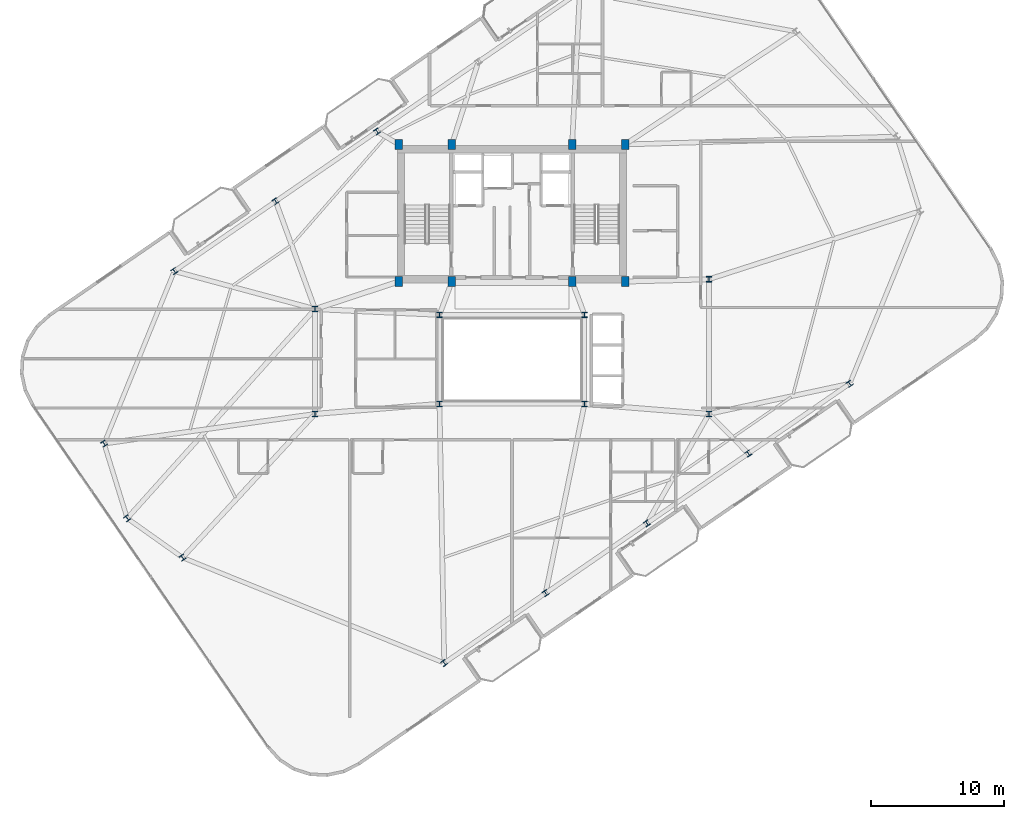
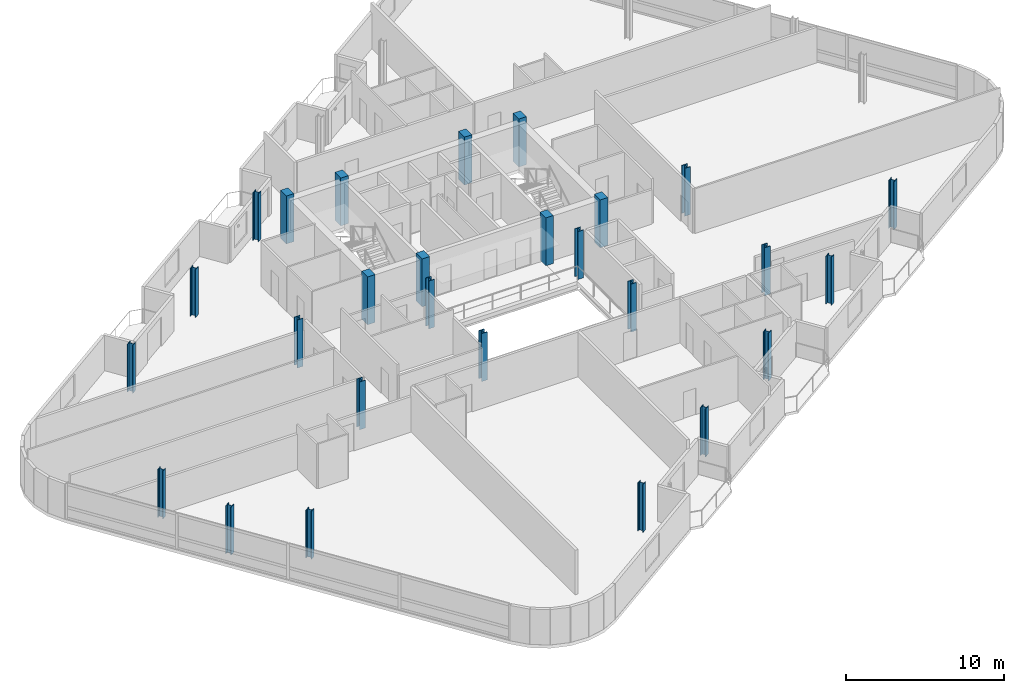
# One storey, part 1 of 21: 27 columns.
"""IFC4 building model written with IfcOpenShell, lengths in metres."""

from ifc_helpers import new_model, si_unit, direction, frame, origin, origin_2d, place, context, subcontext, project, spatial, rectangle, i_section, extrude, material, material_profile, profile_set, type_object, element, save


model = new_model("IFC4")

# Units and contexts
model_context = context("Model", 3, precision=1e-05, world=origin(), true_north=direction((0.0, 1.0)))
body_context = subcontext(model_context, "Body", "Model", "MODEL_VIEW")
ifc_project = project(units=[si_unit("LENGTHUNIT", "METRE"), si_unit("AREAUNIT", "SQUARE_METRE"), si_unit("VOLUMEUNIT", "CUBIC_METRE"), si_unit("PLANEANGLEUNIT", "RADIAN"), si_unit("MASSUNIT", "GRAM", prefix="KILO")], contexts=[model_context])

# Site, building, storey
site_placement = place(None, origin())
site = spatial("IfcSite", under=ifc_project, at=site_placement, CompositionType="ELEMENT")
building_placement = place(site_placement, origin())
building = spatial("IfcBuilding", under=site, at=building_placement, Name="Varnelok Gate Tower", CompositionType="ELEMENT")
storey_placement = place(building_placement, frame((0.0, 0.0, 269.300048828125)))
storey = spatial("IfcBuildingStorey", under=building, at=storey_placement, Name="L69", CompositionType="ELEMENT", Elevation=269.300048828125)

# Columns
ifc_material_1 = material(Name="Concrete C50/60", Category="concrete")
ifc_material_profile_1 = material_profile(ifc_material_1, rectangle(XDim=0.550048828125, YDim=0.75, at=origin_2d()), Name="RC750X550")
ifc_profile_set_1 = profile_set([ifc_material_profile_1], Name="Concrete C50/60")
column_type_1 = type_object("IfcColumnType", Name="COL-RC750X550", PredefinedType="COLUMN", material=ifc_profile_set_1)
for number, where, z_axis, x_axis, name in (
    (1, (30.699951171875, 28.75, 0.0), (0.0, 0.0, 1.0), (1.0, 0.0, 0.0), "L69 Core Spine Column SC1"),
    (2, (34.679931640625, 28.75, 0.0), (0.0, 0.0, 1.0), (1.0, 0.0, 0.0), "L69 Core Spine Column SC2"),
    (3, (43.719970703125, 28.75, 0.0), (0.0, 0.0, 1.0), (1.0, 0.0, 0.0), "L69 Core Spine Column SC3"),
    (4, (47.699951171875, 28.75, 0.0), (0.0, 0.0, 1.0), (1.0, 0.0, 0.0), "L69 Core Spine Column SC4"),
    (5, (30.699951171875, 39.050048828125, 0.0), (0.0, 0.0, 1.0), (1.0, 0.0, 0.0), "L69 Core Spine Column SC5"),
    (6, (34.679931640625, 39.050048828125, 0.0), (0.0, 0.0, 1.0), (1.0, 0.0, 0.0), "L69 Core Spine Column SC6"),
    (7, (43.719970703125, 39.050048828125, 0.0), (0.0, 0.0, 1.0), (1.0, 0.0, 0.0), "L69 Core Spine Column SC7"),
    (8, (47.699951171875, 39.050048828125, 0.0), (0.0, 0.0, 1.0), (1.0, 0.0, 0.0), "L69 Core Spine Column SC8"),
):
    element("IfcColumn", number, at=place(storey_placement, frame(where, z_axis=z_axis, x_axis=x_axis)), inside=storey, type_object=column_type_1, Name=name, PredefinedType="COLUMN", context=body_context, shape_type="SweptSolid", body=[
        extrude(rectangle(XDim=0.550048828125, YDim=0.75, at=origin_2d()), origin(), (0.0, 0.0, 1.0), 3.699951171875),
    ])
ifc_material_2 = material(Name="Structural Steel ASTM A992 Grade 50", Category="steel")
ifc_material_profile_2 = material_profile(ifc_material_2, i_section(OverallWidth=0.40087890625, OverallDepth=0.39892578125, WebThickness=0.02490234375, FlangeThickness=0.03955078125, FilletRadius=0.02197265625, at=origin_2d()), Name="W14X211")
ifc_profile_set_2 = profile_set([ifc_material_profile_2], Name="Structural Steel ASTM A992 Grade 50")
column_type_2 = type_object("IfcColumnType", Name="COL-W14X211", PredefinedType="COLUMN", material=ifc_profile_set_2)
for number, where, z_axis, x_axis, name in (
    (9, (34.107421875, 0.080810546875, 0.0), (0.0, 0.0, 1.0), (0.823532597628, 0.567268949127, 0.0), "L69 B6 Perimeter Column PC01"),
    (10, (41.72509765625, 5.327880859375, 0.0), (0.0, 0.0, 1.0), (0.823532597628, 0.567268949127, 0.0), "L69 B6 Perimeter Column PC02"),
    (11, (49.3427734375, 10.5751953125, 0.0), (0.0, 0.0, 1.0), (0.823532597628, 0.567268949127, 0.0), "L69 B6 Perimeter Column PC03"),
    (12, (56.96044921875, 15.822509765625, 0.0), (0.0, 0.0, 1.0), (0.823532597628, 0.567268949127, 0.0), "L69 B6 Perimeter Column PC04"),
    (13, (64.578125, 21.069580078125, 0.0), (0.0, 0.0, 1.0), (0.823532597628, 0.567268949127, 0.0), "L69 B6 Perimeter Column PC05"),
    (14, (29.05712890625, 40.02490234375, 0.0), (0.0, 0.0, 1.0), (0.823532597628, 0.567268949127, 0.0), "L69 B6 Perimeter Column PC11"),
    (15, (21.439697265625, 34.777587890625, 0.0), (0.0, 0.0, 1.0), (0.823532597628, 0.567268949127, 0.0), "L69 B6 Perimeter Column PC12"),
    (16, (13.822021484375, 29.5302734375, 0.0), (0.0, 0.0, 1.0), (0.823532597628, 0.567268949127, 0.0), "L69 B6 Perimeter Column PC13"),
    (17, (8.543212890625, 16.568603515625, 0.0), (0.0, 0.0, 1.0), (0.823532597628, 0.567268949127, 0.0), "L69 B6 Perimeter Column PC14"),
    (18, (10.284423828125, 10.955810546875, 0.0), (0.0, 0.0, 1.0), (0.823532597628, 0.567268949127, 0.0), "L69 B6 Perimeter Column PC15"),
    (19, (14.44287109375, 8.00390625, 0.0), (0.0, 0.0, 1.0), (0.823532597628, 0.567268949127, 0.0), "L69 B6 Perimeter Column PC16"),
):
    element("IfcColumn", number, at=place(storey_placement, frame(where, z_axis=z_axis, x_axis=x_axis)), inside=storey, type_object=column_type_2, Name=name, PredefinedType="COLUMN", context=body_context, shape_type="SweptSolid", body=[
        extrude(i_section(OverallWidth=0.40087890625, OverallDepth=0.39892578125, WebThickness=0.02490234375, FlangeThickness=0.03955078125, FilletRadius=0.02197265625, at=origin_2d()), origin(), (0.0, 0.0, 1.0), 3.699951171875),
    ])
ifc_material_profile_3 = material_profile(ifc_material_2, i_section(OverallWidth=0.406005859375, OverallDepth=0.416015625, WebThickness=0.02978515625, FlangeThickness=0.048095703125, FilletRadius=0.02490234375, at=origin_2d()), Name="W14X257")
ifc_profile_set_3 = profile_set([ifc_material_profile_3], Name="Structural Steel ASTM A992 Grade 50")
column_type_3 = type_object("IfcColumnType", Name="COL-W14X257", PredefinedType="COLUMN", material=ifc_profile_set_3)
for number, where, z_axis, x_axis, name in (
    (20, (33.75, 19.550048828125, 0.0), (0.0, 0.0, 1.0), (1.0, 0.0, 0.0), "L69 Atrium Spine Column AC1"),
    (21, (44.64990234375, 19.550048828125, 0.0), (0.0, 0.0, 1.0), (1.0, 0.0, 0.0), "L69 Atrium Spine Column AC2"),
    (22, (33.75, 26.25, 0.0), (0.0, 0.0, 1.0), (1.0, 0.0, 0.0), "L69 Atrium Spine Column AC3"),
    (23, (44.64990234375, 26.25, 0.0), (0.0, 0.0, 1.0), (1.0, 0.0, 0.0), "L69 Atrium Spine Column AC4"),
    (24, (24.39990234375, 18.800048828125, 0.0), (0.0, 0.0, 1.0), (1.0, 0.0, 0.0), "L69 Wing Spine Column WS1"),
    (25, (24.39990234375, 26.679931640625, 0.0), (0.0, 0.0, 1.0), (1.0, 0.0, 0.0), "L69 Wing Spine Column WS2"),
    (26, (54.0, 18.800048828125, 0.0), (0.0, 0.0, 1.0), (1.0, 0.0, 0.0), "L69 Wing Spine Column ES1"),
    (27, (54.0, 28.919921875, 0.0), (0.0, 0.0, 1.0), (1.0, 0.0, 0.0), "L69 Wing Spine Column ES2"),
):
    element("IfcColumn", number, at=place(storey_placement, frame(where, z_axis=z_axis, x_axis=x_axis)), inside=storey, type_object=column_type_3, Name=name, PredefinedType="COLUMN", context=body_context, shape_type="SweptSolid", body=[
        extrude(i_section(OverallWidth=0.406005859375, OverallDepth=0.416015625, WebThickness=0.02978515625, FlangeThickness=0.048095703125, FilletRadius=0.02490234375, at=origin_2d()), origin(), (0.0, 0.0, 1.0), 3.699951171875),
    ])

save(model, "model.ifc")
